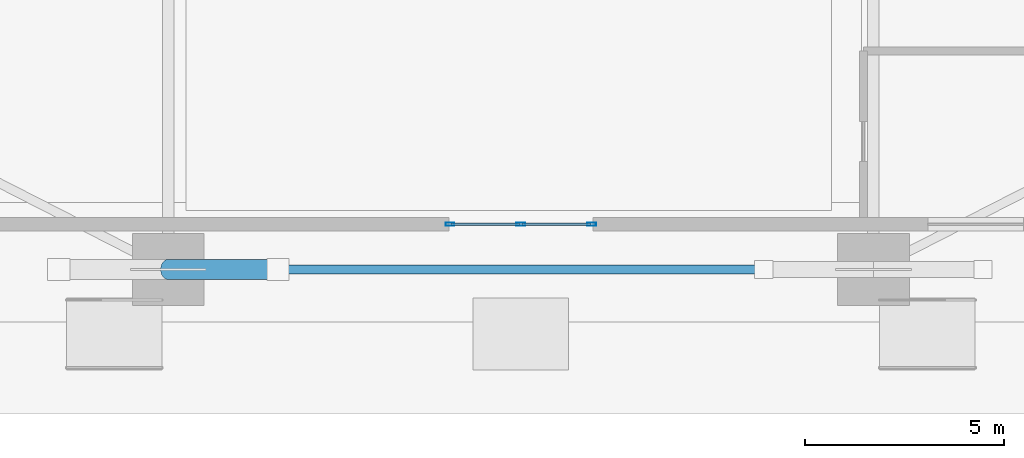
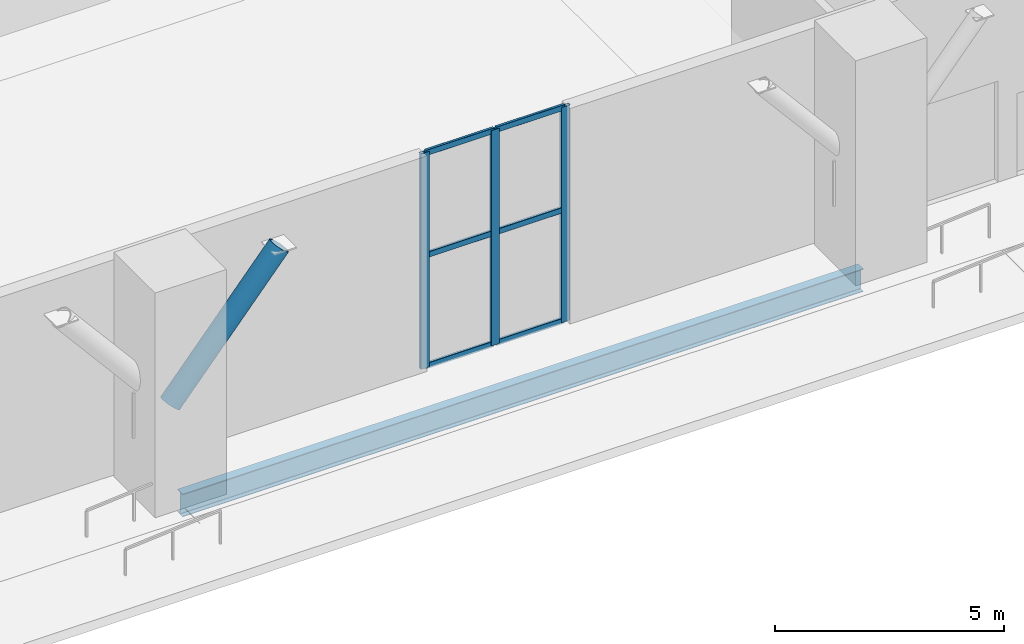
# One storey, part 3 of 22: 10 members, 1 beam, 1 element without a shape of its own.
"""IFC4 building model written with IfcOpenShell, lengths in metres."""

from ifc_helpers import new_model, si_unit, direction, frame, origin, origin_2d, place, context, subcontext, project, spatial, hollow_rectangle, hollow_circle, i_section, extrude, material, layer, layer_set, material_profile, profile_set, type_object, element, aggregate, save


model = new_model("IFC4")

# Units and contexts
model_context = context("Model", 3, precision=1e-05, world=origin(), true_north=direction((0.0, 1.0)))
body_context = subcontext(model_context, "Body", "Model", "MODEL_VIEW")
ifc_project = project(units=[si_unit("LENGTHUNIT", "METRE"), si_unit("AREAUNIT", "SQUARE_METRE"), si_unit("VOLUMEUNIT", "CUBIC_METRE"), si_unit("PLANEANGLEUNIT", "RADIAN"), si_unit("MASSUNIT", "GRAM", prefix="KILO")], contexts=[model_context])

# Site, building, storey
site_placement = place(None, origin())
site = spatial("IfcSite", under=ifc_project, at=site_placement, CompositionType="ELEMENT")
building_placement = place(site_placement, origin())
building = spatial("IfcBuilding", under=site, at=building_placement, Name="Cinnabar Lancet Tower", CompositionType="ELEMENT")
storey_placement = place(building_placement, origin())
storey = spatial("IfcBuildingStorey", under=building, at=storey_placement, Name="L00", CompositionType="ELEMENT", Elevation=0.0)

# Curtain wall, members
ifc_material_1 = material(Name="Thermally broken bronze-anodized aluminium and low-E glass", Category="aluminium")
ifc_layer = layer(ifc_material_1, 0.179931640625)
ifc_layer_set = layer_set([ifc_layer], Name="Thermally broken bronze-anodized aluminium and low-E glass")
curtain_wall_type = type_object("IfcCurtainWallType", Name="ENV-CW-SYS-01", PredefinedType="NOTDEFINED", material=ifc_layer_set)
curtain_wall_placement = place(storey_placement, origin())
curtain_wall = element("IfcCurtainWall", 1, at=curtain_wall_placement, inside=storey, type_object=curtain_wall_type, Name="L00 Face 1 Lobby Curtain Wall", PredefinedType="NOTDEFINED")
ifc_material_2 = material(Name="Anodized architectural aluminium 6063-T6", Category="aluminium")
ifc_material_profile_1 = material_profile(ifc_material_2, hollow_rectangle(XDim=0.0849609375, YDim=0.219970703125, WallThickness=0.0048828125, InnerFilletRadius=0.00244140625, OuterFilletRadius=0.007568359375, at=origin_2d()), Name="CW-MUL 220x85x5")
ifc_profile_set_1 = profile_set([ifc_material_profile_1], Name="Anodized architectural aluminium 6063-T6")
member_type_1 = type_object("IfcMemberType", Name="ENV-CW-MUL-220", PredefinedType="MULLION", material=ifc_profile_set_1)
member_1_placement = place(storey_placement, frame((34.177001953125, 2.449951171875, 0.0), z_axis=(0.0, 0.0, 1.0), x_axis=(0.0, -1.0, 0.0)))
member_1 = element("IfcMember", 2, at=member_1_placement, type_object=member_type_1, Name="CW-01 mullion 1", PredefinedType="MULLION", context=body_context, shape_type="SweptSolid", body=[
    extrude(hollow_rectangle(XDim=0.0849609375, YDim=0.219970703125, WallThickness=0.0048828125, InnerFilletRadius=0.00244140625, OuterFilletRadius=0.007568359375, at=origin_2d()), origin(), (0.0, 0.0, 1.0), 5.75),
])
member_2_placement = place(storey_placement, frame((32.39990234375, 2.449951171875, 0.0), z_axis=(0.0, 0.0, 1.0), x_axis=(0.0, -1.0, 0.0)))
member_2 = element("IfcMember", 3, at=member_2_placement, type_object=member_type_1, Name="CW-01 mullion 2", PredefinedType="MULLION", context=body_context, shape_type="SweptSolid", body=[
    extrude(hollow_rectangle(XDim=0.0849609375, YDim=0.219970703125, WallThickness=0.0048828125, InnerFilletRadius=0.00244140625, OuterFilletRadius=0.007568359375, at=origin_2d()), origin(), (0.0, 0.0, 1.0), 5.75),
])
member_3_placement = place(storey_placement, frame((30.623046875, 2.449951171875, 0.0), z_axis=(0.0, 0.0, 1.0), x_axis=(0.0, -1.0, 0.0)))
member_3 = element("IfcMember", 4, at=member_3_placement, type_object=member_type_1, Name="CW-01 mullion 3", PredefinedType="MULLION", context=body_context, shape_type="SweptSolid", body=[
    extrude(hollow_rectangle(XDim=0.0849609375, YDim=0.219970703125, WallThickness=0.0048828125, InnerFilletRadius=0.00244140625, OuterFilletRadius=0.007568359375, at=origin_2d()), origin(), (0.0, 0.0, 1.0), 5.75),
])
ifc_material_3 = material(Name="Anodized architectural aluminium 6063-T6", Category="aluminium")
ifc_material_profile_2 = material_profile(ifc_material_3, hollow_rectangle(XDim=0.06494140625, YDim=0.14990234375, WallThickness=0.00390625, InnerFilletRadius=0.001953125, OuterFilletRadius=0.006103515625, at=origin_2d()), Name="CW-TRN 150x65x4")
ifc_profile_set_2 = profile_set([ifc_material_profile_2], Name="Anodized architectural aluminium 6063-T6")
member_type_2 = type_object("IfcMemberType", Name="ENV-CW-TRN-160", PredefinedType="USERDEFINED", material=ifc_profile_set_2)
member_4_placement = place(storey_placement, frame((34.14697265625, 2.449951171875, 0.030029296875), z_axis=(-1.0, 0.0, 0.0), x_axis=(0.0, -1.0, 0.0)))
member_4 = element("IfcMember", 5, at=member_4_placement, type_object=member_type_2, Name="CW-01 transom 1.1", ObjectType="TRANSOM", PredefinedType="USERDEFINED", context=body_context, shape_type="SweptSolid", body=[
    extrude(hollow_rectangle(XDim=0.06494140625, YDim=0.14990234375, WallThickness=0.00390625, InnerFilletRadius=0.001953125, OuterFilletRadius=0.006103515625, at=origin_2d()), origin(), (0.0, 0.0, 1.0), 1.717041015625),
])
member_5_placement = place(storey_placement, frame((34.14697265625, 2.449951171875, 2.989990234375), z_axis=(-1.0, 0.0, 0.0), x_axis=(0.0, -1.0, 0.0)))
member_5 = element("IfcMember", 6, at=member_5_placement, type_object=member_type_2, Name="CW-01 transom 1.2", ObjectType="TRANSOM", PredefinedType="USERDEFINED", context=body_context, shape_type="SweptSolid", body=[
    extrude(hollow_rectangle(XDim=0.06494140625, YDim=0.14990234375, WallThickness=0.00390625, InnerFilletRadius=0.001953125, OuterFilletRadius=0.006103515625, at=origin_2d()), origin(), (0.0, 0.0, 1.0), 1.717041015625),
])
member_6_placement = place(storey_placement, frame((34.14697265625, 2.449951171875, 5.719970703125), z_axis=(-1.0, 0.0, 0.0), x_axis=(0.0, -1.0, 0.0)))
member_6 = element("IfcMember", 7, at=member_6_placement, type_object=member_type_2, Name="CW-01 transom 1.3", ObjectType="TRANSOM", PredefinedType="USERDEFINED", context=body_context, shape_type="SweptSolid", body=[
    extrude(hollow_rectangle(XDim=0.06494140625, YDim=0.14990234375, WallThickness=0.00390625, InnerFilletRadius=0.001953125, OuterFilletRadius=0.006103515625, at=origin_2d()), origin(), (0.0, 0.0, 1.0), 1.717041015625),
])
member_7_placement = place(storey_placement, frame((32.3701171875, 2.449951171875, 0.030029296875), z_axis=(-1.0, 0.0, 0.0), x_axis=(0.0, -1.0, 0.0)))
member_7 = element("IfcMember", 8, at=member_7_placement, type_object=member_type_2, Name="CW-01 transom 2.1", ObjectType="TRANSOM", PredefinedType="USERDEFINED", context=body_context, shape_type="SweptSolid", body=[
    extrude(hollow_rectangle(XDim=0.06494140625, YDim=0.14990234375, WallThickness=0.00390625, InnerFilletRadius=0.001953125, OuterFilletRadius=0.006103515625, at=origin_2d()), origin(), (0.0, 0.0, 1.0), 1.717041015625),
])
member_8_placement = place(storey_placement, frame((32.3701171875, 2.449951171875, 2.989990234375), z_axis=(-1.0, 0.0, 0.0), x_axis=(0.0, -1.0, 0.0)))
member_8 = element("IfcMember", 9, at=member_8_placement, type_object=member_type_2, Name="CW-01 transom 2.2", ObjectType="TRANSOM", PredefinedType="USERDEFINED", context=body_context, shape_type="SweptSolid", body=[
    extrude(hollow_rectangle(XDim=0.06494140625, YDim=0.14990234375, WallThickness=0.00390625, InnerFilletRadius=0.001953125, OuterFilletRadius=0.006103515625, at=origin_2d()), origin(), (0.0, 0.0, 1.0), 1.717041015625),
])
member_9_placement = place(storey_placement, frame((32.3701171875, 2.449951171875, 5.719970703125), z_axis=(-1.0, 0.0, 0.0), x_axis=(0.0, -1.0, 0.0)))
member_9 = element("IfcMember", 10, at=member_9_placement, type_object=member_type_2, Name="CW-01 transom 2.3", ObjectType="TRANSOM", PredefinedType="USERDEFINED", context=body_context, shape_type="SweptSolid", body=[
    extrude(hollow_rectangle(XDim=0.06494140625, YDim=0.14990234375, WallThickness=0.00390625, InnerFilletRadius=0.001953125, OuterFilletRadius=0.006103515625, at=origin_2d()), origin(), (0.0, 0.0, 1.0), 1.717041015625),
])
aggregate(curtain_wall, [member_1, member_2, member_3, member_4, member_5, member_6, member_7, member_8, member_9])

# Beam
ifc_material_4 = material(Name="Structural steel S355", Category="steel")
ifc_material_profile_3 = material_profile(ifc_material_4, i_section(OverallWidth=0.228271484375, OverallDepth=0.607666015625, WebThickness=0.010986328125, FlangeThickness=0.017333984375, FilletRadius=0.0126953125, at=origin_2d()), Name="UKB 610x229x113")
ifc_profile_set_3 = profile_set([ifc_material_profile_3], Name="Structural steel S355")
beam_type = type_object("IfcBeamType", Name="STR-BM-SPN-610", PredefinedType="SPANDREL", material=ifc_profile_set_3)
beam_placement = place(storey_placement, frame((23.804931640625, 1.31689453125, -0.553955078125), z_axis=(1.0, 0.0, 0.0), x_axis=(0.0, 1.0, 0.0)))
element("IfcBeam", 11, at=beam_placement, inside=storey, type_object=beam_type, Name="L00 Perimeter Spandrel 1", PredefinedType="SPANDREL", context=body_context, shape_type="SweptSolid", body=[
    extrude(i_section(OverallWidth=0.228271484375, OverallDepth=0.607666015625, WebThickness=0.010986328125, FlangeThickness=0.017333984375, FilletRadius=0.0126953125, at=origin_2d()), origin(), (0.0, 0.0, 1.0), 17.190185546875),
])

# Member
ifc_material_5 = material(Name="Structural steel S460", Category="steel")
ifc_material_profile_4 = material_profile(ifc_material_5, hollow_circle(Radius=0.25390625, WallThickness=0.02490234375, at=origin_2d()), Name="CHS 508x25")
ifc_profile_set_4 = profile_set([ifc_material_profile_4], Name="Structural steel S460")
member_type_3 = type_object("IfcMemberType", Name="STR-MEM-YPIL-508", PredefinedType="STRUT", material=ifc_profile_set_4)
member_10_placement = place(storey_placement, frame((23.554931640625, 1.31689453125, 2.199951171875), z_axis=(0.645942241466, 0.0, 0.763386285369), x_axis=(0.0, 1.0, 0.0)))
element("IfcMember", 12, at=member_10_placement, inside=storey, type_object=member_type_3, Name="Y-Pilotis Inclined Branch Strut 1B", PredefinedType="STRUT", context=body_context, shape_type="SweptSolid", body=[
    extrude(hollow_circle(Radius=0.25390625, WallThickness=0.02490234375, at=origin_2d()), origin(), (0.0, 0.0, 1.0), 4.25732421875),
])

save(model, "model.ifc")
